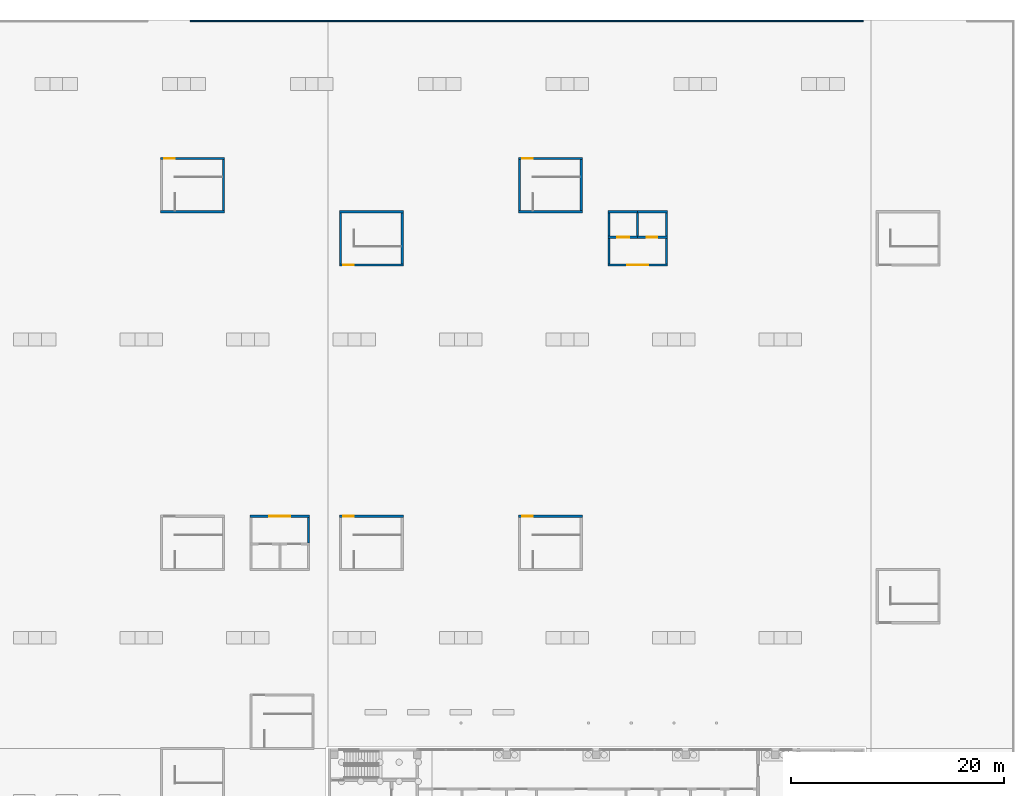
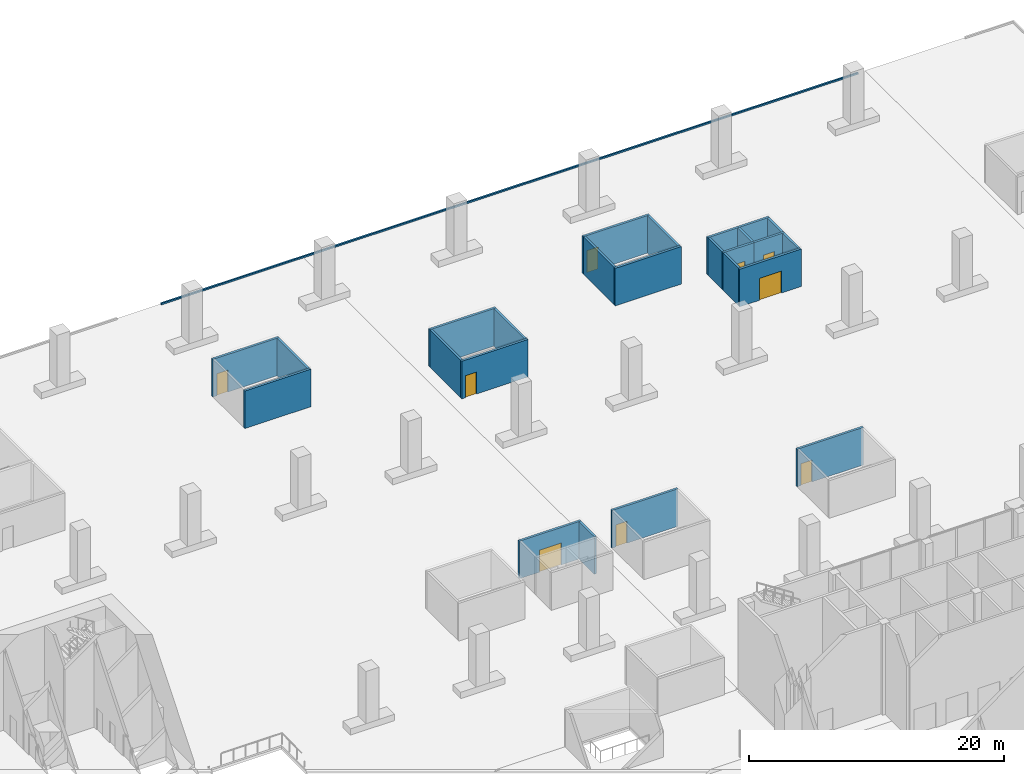
# One storey, part 29 of 46: 26 walls, 9 doors, 9 openings.
"""IFC4 building model written with IfcOpenShell, lengths in metres."""

from ifc_helpers import new_model, si_unit, direction, frame, frame_2d, origin, place, context, subcontext, project, spatial, rectangle, extrude, material, layer, layer_set, type_object, element, fill, save


model = new_model("IFC4")

# Units and contexts
model_context = context("Model", 3, precision=1e-05, world=origin(), true_north=direction((0.0, 1.0)))
body_context = subcontext(model_context, "Body", "Model", "MODEL_VIEW")
ifc_project = project(units=[si_unit("LENGTHUNIT", "METRE"), si_unit("AREAUNIT", "SQUARE_METRE"), si_unit("VOLUMEUNIT", "CUBIC_METRE"), si_unit("PLANEANGLEUNIT", "RADIAN"), si_unit("MASSUNIT", "GRAM", prefix="KILO")], contexts=[model_context])

# Site, building, storey
site_placement = place(None, origin())
site = spatial("IfcSite", under=ifc_project, at=site_placement, CompositionType="ELEMENT")
building_placement = place(site_placement, origin())
building = spatial("IfcBuilding", under=site, at=building_placement, Name="Vermilion Gate Residences", CompositionType="ELEMENT")
storey_placement = place(building_placement, origin())
storey = spatial("IfcBuildingStorey", under=building, at=storey_placement, Name="L00", CompositionType="ELEMENT", Elevation=0.0)

# Walls
ifc_material_1 = material(Name="Concrete C35", Category="concrete")
ifc_layer_1 = layer(ifc_material_1, 0.14990234375)
ifc_layer_set_1 = layer_set([ifc_layer_1], Name="KERB 150 X 150 C35 (MARKET HALL)")
wall_type_1 = type_object("IfcWallType", Name="KERB 150 X 150 C35 (MARKET HALL)", PredefinedType="SOLIDWALL", material=ifc_layer_set_1)
wall_1_placement = place(storey_placement, frame((54.60009765625, 101.905029296875, 0.0), z_axis=(0.0, 0.0, 1.0), x_axis=(1.0, 0.0, 0.0)))
element("IfcWall", 1, at=wall_1_placement, inside=storey, type_object=wall_type_1, Name="Kerb north edge 4", PredefinedType="SOLIDWALL", context=body_context, shape_type="SweptSolid", body=[
    extrude(rectangle(XDim=63.199951171875, YDim=0.14990234375, at=frame_2d((31.60009765625, 0.0))), origin(), (0.0, 0.0, 1.0), 0.14990234375),
])
ifc_material_2 = material(Name="Concrete C40", Category="concrete")
ifc_layer_2 = layer(ifc_material_2, 0.199951171875)
ifc_layer_set_2 = layer_set([ifc_layer_2], Name="RC STAIR AND SHAFT WALL 200 EI 180 C40 (AMENITY)")
wall_type_2 = type_object("IfcWallType", Name="RC STAIR AND SHAFT WALL 200 EI 180 C40 (AMENITY)", PredefinedType="SOLIDWALL", material=ifc_layer_set_2)
wall_2_placement = place(storey_placement, frame((51.800048828125, 84.0, 0.0), z_axis=(0.0, 0.0, 1.0), x_axis=(1.0, 0.0, 0.0)))
element("IfcWall", 2, at=wall_2_placement, inside=storey, type_object=wall_type_2, Name="Stair and shaft wall 33", PredefinedType="SOLIDWALL", context=body_context, shape_type="SweptSolid", body=[
    extrude(rectangle(XDim=6.0, YDim=0.199951171875, at=frame_2d((3.0, 0.0))), origin(), (0.0, 0.0, 1.0), 3.60009765625),
])

# Wall, opening, door
wall_3_placement = place(storey_placement, frame((51.800048828125, 89.0, 0.0), z_axis=(0.0, 0.0, 1.0), x_axis=(1.0, 0.0, 0.0)))
wall_3 = element("IfcWall", 3, at=wall_3_placement, inside=storey, type_object=wall_type_2, Name="Stair and shaft wall 34", PredefinedType="SOLIDWALL", context=body_context, shape_type="SweptSolid", body=[
    extrude(rectangle(XDim=6.0, YDim=0.199951171875, at=frame_2d((3.0, 0.0))), origin(), (0.0, 0.0, 1.0), 3.60009765625),
])
opening_1_placement = place(wall_3_placement, frame((0.35009765625, 0.0, 0.0)))
opening_1 = element("IfcOpeningElement", 4, at=opening_1_placement, cuts=wall_3, Name="Opening DG00012", PredefinedType="OPENING", context=body_context, shape_type="SweptSolid", body=[
    extrude(rectangle(XDim=1.0, YDim=2.10009765625, at=frame_2d((0.5, 1.050048828125))), frame((0.0, 0.10986328125, 0.0), z_axis=(0.0, -1.0, 0.0), x_axis=(1.0, 0.0, 0.0)), (0.0, 0.0, 1.0), 0.219970703125),
])
ifc_material_3 = material(Name="Steel", Category="steel")
door_type_1 = type_object("IfcDoorType", Name="DOOR 1000 X 2100 FD60 (AMENITY)", OperationType="SINGLE_SWING_LEFT", PredefinedType="DOOR", material=ifc_material_3)
door_1_placement = place(opening_1_placement, origin())
door_1 = element("IfcDoor", 5, at=door_1_placement, inside=storey, type_object=door_type_1, Name="Door L00 12", OperationType="SINGLE_SWING_LEFT", OverallHeight=2.10009765625, OverallWidth=1.0, PredefinedType="DOOR", context=body_context, shape_type="SweptSolid", body=[
    extrude(rectangle(XDim=1.0, YDim=2.10009765625, at=frame_2d((0.5, 1.050048828125))), frame((0.0, 0.02490234375, 0.0), z_axis=(0.0, -1.0, 0.0), x_axis=(1.0, 0.0, 0.0)), (0.0, 0.0, 1.0), 0.050048828125),
])
fill(opening_1, door_1)

# Wall
wall_4_placement = place(storey_placement, frame((57.699951171875, 84.10009765625, 0.0), z_axis=(0.0, 0.0, 1.0), x_axis=(0.0, 1.0, 0.0)))
element("IfcWall", 6, at=wall_4_placement, inside=storey, type_object=wall_type_2, Name="Stair and shaft wall 37", PredefinedType="SOLIDWALL", context=body_context, shape_type="SweptSolid", body=[
    extrude(rectangle(XDim=4.7998046875, YDim=0.199951171875, at=frame_2d((2.39990234375, 0.0))), origin(), (0.0, 0.0, 1.0), 3.60009765625),
])

# Wall, opening, door
wall_5_placement = place(storey_placement, frame((60.199951171875, 55.39990234375, 0.0), z_axis=(0.0, 0.0, 1.0), x_axis=(1.0, 0.0, 0.0)))
wall_5 = element("IfcWall", 7, at=wall_5_placement, inside=storey, type_object=wall_type_2, Name="Stair and shaft wall 45", PredefinedType="SOLIDWALL", context=body_context, shape_type="SweptSolid", body=[
    extrude(rectangle(XDim=5.60009765625, YDim=0.199951171875, at=frame_2d((2.800048828125, 0.0))), origin(), (0.0, 0.0, 1.0), 3.60009765625),
])
opening_2_placement = place(wall_5_placement, frame((1.800048828125, 0.0, 0.0)))
opening_2 = element("IfcOpeningElement", 8, at=opening_2_placement, cuts=wall_5, Name="Opening DG00017", PredefinedType="OPENING", context=body_context, shape_type="SweptSolid", body=[
    extrude(rectangle(XDim=2.0, YDim=2.10009765625, at=frame_2d((1.0, 1.050048828125))), frame((0.0, 0.10986328125, 0.0), z_axis=(0.0, -1.0, 0.0), x_axis=(1.0, 0.0, 0.0)), (0.0, 0.0, 1.0), 0.219970703125),
])
ifc_material_4 = material(Name="Steel", Category="steel")
door_type_2 = type_object("IfcDoorType", Name="DOUBLE DOOR 2000 X 2100 FD60 (AMENITY)", OperationType="DOUBLE_DOOR_SINGLE_SWING", PredefinedType="DOOR", material=ifc_material_4)
door_2_placement = place(opening_2_placement, origin())
door_2 = element("IfcDoor", 9, at=door_2_placement, inside=storey, type_object=door_type_2, Name="Door L00 17", OperationType="DOUBLE_DOOR_SINGLE_SWING", OverallHeight=2.10009765625, OverallWidth=2.0, PredefinedType="DOOR", context=body_context, shape_type="SweptSolid", body=[
    extrude(rectangle(XDim=2.0, YDim=2.10009765625, at=frame_2d((1.0, 1.050048828125))), frame((0.0, 0.02490234375, 0.0), z_axis=(0.0, -1.0, 0.0), x_axis=(1.0, 0.0, 0.0)), (0.0, 0.0, 1.0), 0.050048828125),
])
fill(opening_2, door_2)

# Wall
wall_6_placement = place(storey_placement, frame((65.699951171875, 52.89990234375, 0.0), z_axis=(0.0, 0.0, 1.0), x_axis=(0.0, 1.0, 0.0)))
element("IfcWall", 10, at=wall_6_placement, inside=storey, type_object=wall_type_2, Name="Stair and shaft wall 50", PredefinedType="SOLIDWALL", context=body_context, shape_type="SweptSolid", body=[
    extrude(rectangle(XDim=2.400146484375, YDim=0.199951171875, at=frame_2d((1.2001953125, 0.0))), origin(), (0.0, 0.0, 1.0), 3.60009765625),
])

# Wall, opening, door
wall_7_placement = place(storey_placement, frame((68.60009765625, 55.39990234375, 0.0), z_axis=(0.0, 0.0, 1.0), x_axis=(1.0, 0.0, 0.0)))
wall_7 = element("IfcWall", 11, at=wall_7_placement, inside=storey, type_object=wall_type_2, Name="Stair and shaft wall 54", PredefinedType="SOLIDWALL", context=body_context, shape_type="SweptSolid", body=[
    extrude(rectangle(XDim=6.0, YDim=0.199951171875, at=frame_2d((3.0, 0.0))), origin(), (0.0, 0.0, 1.0), 3.60009765625),
])
opening_3_placement = place(wall_7_placement, frame((0.35009765625, 0.0, 0.0)))
opening_3 = element("IfcOpeningElement", 12, at=opening_3_placement, cuts=wall_7, Name="Opening DG00003", PredefinedType="OPENING", context=body_context, shape_type="SweptSolid", body=[
    extrude(rectangle(XDim=1.0, YDim=2.10009765625, at=frame_2d((0.5, 1.050048828125))), frame((0.0, 0.10986328125, 0.0), z_axis=(0.0, -1.0, 0.0), x_axis=(1.0, 0.0, 0.0)), (0.0, 0.0, 1.0), 0.219970703125),
])
door_3_placement = place(opening_3_placement, origin())
door_3 = element("IfcDoor", 13, at=door_3_placement, inside=storey, type_object=door_type_1, Name="Door L00 3", OperationType="SINGLE_SWING_LEFT", OverallHeight=2.10009765625, OverallWidth=1.0, PredefinedType="DOOR", context=body_context, shape_type="SweptSolid", body=[
    extrude(rectangle(XDim=1.0, YDim=2.10009765625, at=frame_2d((0.5, 1.050048828125))), frame((0.0, 0.02490234375, 0.0), z_axis=(0.0, -1.0, 0.0), x_axis=(1.0, 0.0, 0.0)), (0.0, 0.0, 1.0), 0.050048828125),
])
fill(opening_3, door_3)

# Wall
wall_8_placement = place(storey_placement, frame((68.699951171875, 79.10009765625, 0.0), z_axis=(0.0, 0.0, 1.0), x_axis=(0.0, 1.0, 0.0)))
element("IfcWall", 14, at=wall_8_placement, inside=storey, type_object=wall_type_2, Name="Stair and shaft wall 55", PredefinedType="SOLIDWALL", context=body_context, shape_type="SweptSolid", body=[
    extrude(rectangle(XDim=4.7998046875, YDim=0.199951171875, at=frame_2d((2.39990234375, 0.0))), origin(), (0.0, 0.0, 1.0), 3.60009765625),
])

# Wall, opening, door
wall_9_placement = place(storey_placement, frame((68.60009765625, 79.0, 0.0), z_axis=(0.0, 0.0, 1.0), x_axis=(1.0, 0.0, 0.0)))
wall_9 = element("IfcWall", 15, at=wall_9_placement, inside=storey, type_object=wall_type_2, Name="Stair and shaft wall 56", PredefinedType="SOLIDWALL", context=body_context, shape_type="SweptSolid", body=[
    extrude(rectangle(XDim=6.0, YDim=0.199951171875, at=frame_2d((3.0, 0.0))), origin(), (0.0, 0.0, 1.0), 3.60009765625),
])
opening_4_placement = place(wall_9_placement, frame((0.35009765625, 0.0, 0.0)))
opening_4 = element("IfcOpeningElement", 16, at=opening_4_placement, cuts=wall_9, Name="Opening DG00011", PredefinedType="OPENING", context=body_context, shape_type="SweptSolid", body=[
    extrude(rectangle(XDim=1.0, YDim=2.10009765625, at=frame_2d((0.5, 1.050048828125))), frame((0.0, 0.10986328125, 0.0), z_axis=(0.0, -1.0, 0.0), x_axis=(1.0, 0.0, 0.0)), (0.0, 0.0, 1.0), 0.219970703125),
])
door_4_placement = place(opening_4_placement, frame((1.0, 0.0, 0.0), z_axis=(0.0, 0.0, 1.0), x_axis=(-1.0, 0.0, 0.0)))
door_4 = element("IfcDoor", 17, at=door_4_placement, inside=storey, type_object=door_type_1, Name="Door L00 11", OperationType="SINGLE_SWING_RIGHT", OverallHeight=2.10009765625, OverallWidth=1.0, PredefinedType="DOOR", context=body_context, shape_type="SweptSolid", body=[
    extrude(rectangle(XDim=1.0, YDim=2.10009765625, at=frame_2d((0.5, 1.050048828125))), frame((0.0, 0.02490234375, 0.0), z_axis=(0.0, -1.0, 0.0), x_axis=(1.0, 0.0, 0.0)), (0.0, 0.0, 1.0), 0.050048828125),
])
fill(opening_4, door_4)

# Walls
wall_10_placement = place(storey_placement, frame((68.60009765625, 84.0, 0.0), z_axis=(0.0, 0.0, 1.0), x_axis=(1.0, 0.0, 0.0)))
element("IfcWall", 18, at=wall_10_placement, inside=storey, type_object=wall_type_2, Name="Stair and shaft wall 57", PredefinedType="SOLIDWALL", context=body_context, shape_type="SweptSolid", body=[
    extrude(rectangle(XDim=6.0, YDim=0.199951171875, at=frame_2d((3.0, 0.0))), origin(), (0.0, 0.0, 1.0), 3.60009765625),
])
wall_11_placement = place(storey_placement, frame((74.5, 79.10009765625, 0.0), z_axis=(0.0, 0.0, 1.0), x_axis=(0.0, 1.0, 0.0)))
element("IfcWall", 19, at=wall_11_placement, inside=storey, type_object=wall_type_2, Name="Stair and shaft wall 59", PredefinedType="SOLIDWALL", context=body_context, shape_type="SweptSolid", body=[
    extrude(rectangle(XDim=4.7998046875, YDim=0.199951171875, at=frame_2d((2.39990234375, 0.0))), origin(), (0.0, 0.0, 1.0), 3.60009765625),
])

# Wall, opening, door
wall_12_placement = place(storey_placement, frame((85.39990234375, 55.39990234375, 0.0), z_axis=(0.0, 0.0, 1.0), x_axis=(1.0, 0.0, 0.0)))
wall_12 = element("IfcWall", 20, at=wall_12_placement, inside=storey, type_object=wall_type_2, Name="Stair and shaft wall 62", PredefinedType="SOLIDWALL", context=body_context, shape_type="SweptSolid", body=[
    extrude(rectangle(XDim=6.0, YDim=0.199951171875, at=frame_2d((3.0, 0.0))), origin(), (0.0, 0.0, 1.0), 3.60009765625),
])
opening_5_placement = place(wall_12_placement, frame((0.35009765625, 0.0, 0.0)))
opening_5 = element("IfcOpeningElement", 21, at=opening_5_placement, cuts=wall_12, Name="Opening DG00006", PredefinedType="OPENING", context=body_context, shape_type="SweptSolid", body=[
    extrude(rectangle(XDim=1.0, YDim=2.10009765625, at=frame_2d((0.5, 1.050048828125))), frame((0.0, 0.10986328125, 0.0), z_axis=(0.0, -1.0, 0.0), x_axis=(1.0, 0.0, 0.0)), (0.0, 0.0, 1.0), 0.219970703125),
])
door_5_placement = place(opening_5_placement, origin())
door_5 = element("IfcDoor", 22, at=door_5_placement, inside=storey, type_object=door_type_1, Name="Door L00 6", OperationType="SINGLE_SWING_LEFT", OverallHeight=2.10009765625, OverallWidth=1.0, PredefinedType="DOOR", context=body_context, shape_type="SweptSolid", body=[
    extrude(rectangle(XDim=1.0, YDim=2.10009765625, at=frame_2d((0.5, 1.050048828125))), frame((0.0, 0.02490234375, 0.0), z_axis=(0.0, -1.0, 0.0), x_axis=(1.0, 0.0, 0.0)), (0.0, 0.0, 1.0), 0.050048828125),
])
fill(opening_5, door_5)

# Walls
wall_13_placement = place(storey_placement, frame((85.5, 84.10009765625, 0.0), z_axis=(0.0, 0.0, 1.0), x_axis=(0.0, 1.0, 0.0)))
element("IfcWall", 23, at=wall_13_placement, inside=storey, type_object=wall_type_2, Name="Stair and shaft wall 63", PredefinedType="SOLIDWALL", context=body_context, shape_type="SweptSolid", body=[
    extrude(rectangle(XDim=4.7998046875, YDim=0.199951171875, at=frame_2d((2.39990234375, 0.0))), origin(), (0.0, 0.0, 1.0), 3.60009765625),
])
wall_14_placement = place(storey_placement, frame((85.39990234375, 84.0, 0.0), z_axis=(0.0, 0.0, 1.0), x_axis=(1.0, 0.0, 0.0)))
element("IfcWall", 24, at=wall_14_placement, inside=storey, type_object=wall_type_2, Name="Stair and shaft wall 64", PredefinedType="SOLIDWALL", context=body_context, shape_type="SweptSolid", body=[
    extrude(rectangle(XDim=6.0, YDim=0.199951171875, at=frame_2d((3.0, 0.0))), origin(), (0.0, 0.0, 1.0), 3.60009765625),
])

# Wall, opening, door
wall_15_placement = place(storey_placement, frame((85.39990234375, 89.0, 0.0), z_axis=(0.0, 0.0, 1.0), x_axis=(1.0, 0.0, 0.0)))
wall_15 = element("IfcWall", 25, at=wall_15_placement, inside=storey, type_object=wall_type_2, Name="Stair and shaft wall 65", PredefinedType="SOLIDWALL", context=body_context, shape_type="SweptSolid", body=[
    extrude(rectangle(XDim=6.0, YDim=0.199951171875, at=frame_2d((3.0, 0.0))), origin(), (0.0, 0.0, 1.0), 3.60009765625),
])
opening_6_placement = place(wall_15_placement, frame((0.35009765625, 0.0, 0.0)))
opening_6 = element("IfcOpeningElement", 26, at=opening_6_placement, cuts=wall_15, Name="Opening DG00014", PredefinedType="OPENING", context=body_context, shape_type="SweptSolid", body=[
    extrude(rectangle(XDim=1.0, YDim=2.10009765625, at=frame_2d((0.5, 1.050048828125))), frame((0.0, 0.10986328125, 0.0), z_axis=(0.0, -1.0, 0.0), x_axis=(1.0, 0.0, 0.0)), (0.0, 0.0, 1.0), 0.219970703125),
])
door_6_placement = place(opening_6_placement, origin())
door_6 = element("IfcDoor", 27, at=door_6_placement, inside=storey, type_object=door_type_1, Name="Door L00 14", OperationType="SINGLE_SWING_LEFT", OverallHeight=2.10009765625, OverallWidth=1.0, PredefinedType="DOOR", context=body_context, shape_type="SweptSolid", body=[
    extrude(rectangle(XDim=1.0, YDim=2.10009765625, at=frame_2d((0.5, 1.050048828125))), frame((0.0, 0.02490234375, 0.0), z_axis=(0.0, -1.0, 0.0), x_axis=(1.0, 0.0, 0.0)), (0.0, 0.0, 1.0), 0.050048828125),
])
fill(opening_6, door_6)

# Walls
wall_16_placement = place(storey_placement, frame((91.300048828125, 84.10009765625, 0.0), z_axis=(0.0, 0.0, 1.0), x_axis=(0.0, 1.0, 0.0)))
element("IfcWall", 28, at=wall_16_placement, inside=storey, type_object=wall_type_2, Name="Stair and shaft wall 67", PredefinedType="SOLIDWALL", context=body_context, shape_type="SweptSolid", body=[
    extrude(rectangle(XDim=4.7998046875, YDim=0.199951171875, at=frame_2d((2.39990234375, 0.0))), origin(), (0.0, 0.0, 1.0), 3.60009765625),
])
wall_17_placement = place(storey_placement, frame((93.89990234375, 79.10009765625, 0.0), z_axis=(0.0, 0.0, 1.0), x_axis=(0.0, 1.0, 0.0)))
element("IfcWall", 29, at=wall_17_placement, inside=storey, type_object=wall_type_2, Name="Stair and shaft wall 68", PredefinedType="SOLIDWALL", context=body_context, shape_type="SweptSolid", body=[
    extrude(rectangle(XDim=2.39990234375, YDim=0.199951171875, at=frame_2d((1.199951171875, 0.0))), origin(), (0.0, 0.0, 1.0), 3.60009765625),
])

# Wall, opening, door
wall_18_placement = place(storey_placement, frame((93.800048828125, 79.0, 0.0), z_axis=(0.0, 0.0, 1.0), x_axis=(1.0, 0.0, 0.0)))
wall_18 = element("IfcWall", 30, at=wall_18_placement, inside=storey, type_object=wall_type_2, Name="Stair and shaft wall 69", PredefinedType="SOLIDWALL", context=body_context, shape_type="SweptSolid", body=[
    extrude(rectangle(XDim=5.599853515625, YDim=0.199951171875, at=frame_2d((2.7998046875, 0.0))), origin(), (0.0, 0.0, 1.0), 3.60009765625),
])
opening_7_placement = place(wall_18_placement, frame((1.800048828125, 0.0, 0.0)))
opening_7 = element("IfcOpeningElement", 31, at=opening_7_placement, cuts=wall_18, Name="Opening DG00020", PredefinedType="OPENING", context=body_context, shape_type="SweptSolid", body=[
    extrude(rectangle(XDim=2.0, YDim=2.10009765625, at=frame_2d((1.0, 1.050048828125))), frame((0.0, 0.10986328125, 0.0), z_axis=(0.0, -1.0, 0.0), x_axis=(1.0, 0.0, 0.0)), (0.0, 0.0, 1.0), 0.219970703125),
])
door_7_placement = place(opening_7_placement, frame((2.0, 0.0, 0.0), z_axis=(0.0, 0.0, 1.0), x_axis=(-1.0, 0.0, 0.0)))
door_7 = element("IfcDoor", 32, at=door_7_placement, inside=storey, type_object=door_type_2, Name="Door L00 20", OperationType="DOUBLE_DOOR_SINGLE_SWING", OverallHeight=2.10009765625, OverallWidth=2.0, PredefinedType="DOOR", context=body_context, shape_type="SweptSolid", body=[
    extrude(rectangle(XDim=2.0, YDim=2.10009765625, at=frame_2d((1.0, 1.050048828125))), frame((0.0, 0.02490234375, 0.0), z_axis=(0.0, -1.0, 0.0), x_axis=(1.0, 0.0, 0.0)), (0.0, 0.0, 1.0), 0.050048828125),
])
fill(opening_7, door_7)

# Wall
wall_19_placement = place(storey_placement, frame((93.89990234375, 81.699951171875, 0.0), z_axis=(0.0, 0.0, 1.0), x_axis=(0.0, 1.0, 0.0)))
element("IfcWall", 33, at=wall_19_placement, inside=storey, type_object=wall_type_2, Name="Stair and shaft wall 70", PredefinedType="SOLIDWALL", context=body_context, shape_type="SweptSolid", body=[
    extrude(rectangle(XDim=2.199951171875, YDim=0.199951171875, at=frame_2d((1.10009765625, 0.0))), origin(), (0.0, 0.0, 1.0), 3.60009765625),
])

# Wall, opening, door
wall_20_placement = place(storey_placement, frame((93.800048828125, 81.60009765625, 0.0), z_axis=(0.0, 0.0, 1.0), x_axis=(1.0, 0.0, 0.0)))
wall_20 = element("IfcWall", 34, at=wall_20_placement, inside=storey, type_object=wall_type_2, Name="Stair and shaft wall 71", PredefinedType="SOLIDWALL", context=body_context, shape_type="SweptSolid", body=[
    extrude(rectangle(XDim=2.800048828125, YDim=0.199951171875, at=frame_2d((1.39990234375, 0.0))), origin(), (0.0, 0.0, 1.0), 3.60009765625),
])
opening_8_placement = place(wall_20_placement, frame((0.89990234375, 0.0, 0.0)))
opening_8 = element("IfcOpeningElement", 35, at=opening_8_placement, cuts=wall_20, Name="Opening LD", PredefinedType="OPENING", context=body_context, shape_type="SweptSolid", body=[
    extrude(rectangle(XDim=1.10009765625, YDim=2.10009765625, at=frame_2d((0.550048828125, 1.050048828125))), frame((0.0, 0.10986328125, 0.0), z_axis=(0.0, -1.0, 0.0), x_axis=(1.0, 0.0, 0.0)), (0.0, 0.0, 1.0), 0.219970703125),
])
ifc_material_5 = material(Name="Stainless steel", Category="steel")
door_type_3 = type_object("IfcDoorType", Name="LIFT LANDING DOOR 1100 X 2100 (AMENITY)", OperationType="SLIDING_TO_LEFT", PredefinedType="DOOR", material=ifc_material_5)
door_8_placement = place(opening_8_placement, origin())
door_8 = element("IfcDoor", 36, at=door_8_placement, inside=storey, type_object=door_type_3, Name="Lift landing door", OperationType="SLIDING_TO_LEFT", OverallHeight=2.10009765625, OverallWidth=1.10009765625, PredefinedType="DOOR", context=body_context, shape_type="SweptSolid", body=[
    extrude(rectangle(XDim=1.10009765625, YDim=2.10009765625, at=frame_2d((0.550048828125, 1.050048828125))), frame((0.0, 0.02490234375, 0.0), z_axis=(0.0, -1.0, 0.0), x_axis=(1.0, 0.0, 0.0)), (0.0, 0.0, 1.0), 0.050048828125),
])
fill(opening_8, door_8)

# Walls
wall_21_placement = place(storey_placement, frame((93.800048828125, 84.0, 0.0), z_axis=(0.0, 0.0, 1.0), x_axis=(1.0, 0.0, 0.0)))
element("IfcWall", 37, at=wall_21_placement, inside=storey, type_object=wall_type_2, Name="Stair and shaft wall 72", PredefinedType="SOLIDWALL", context=body_context, shape_type="SweptSolid", body=[
    extrude(rectangle(XDim=2.800048828125, YDim=0.199951171875, at=frame_2d((1.39990234375, 0.0))), origin(), (0.0, 0.0, 1.0), 3.60009765625),
])
wall_22_placement = place(storey_placement, frame((96.60009765625, 81.699951171875, 0.0), z_axis=(0.0, 0.0, 1.0), x_axis=(0.0, 1.0, 0.0)))
element("IfcWall", 38, at=wall_22_placement, inside=storey, type_object=wall_type_2, Name="Stair and shaft wall 73", PredefinedType="SOLIDWALL", context=body_context, shape_type="SweptSolid", body=[
    extrude(rectangle(XDim=2.199951171875, YDim=0.199951171875, at=frame_2d((1.10009765625, 0.0))), origin(), (0.0, 0.0, 1.0), 3.60009765625),
])

# Wall, opening, door
wall_23_placement = place(storey_placement, frame((96.60009765625, 81.60009765625, 0.0), z_axis=(0.0, 0.0, 1.0), x_axis=(1.0, 0.0, 0.0)))
wall_23 = element("IfcWall", 39, at=wall_23_placement, inside=storey, type_object=wall_type_2, Name="Stair and shaft wall 74", PredefinedType="SOLIDWALL", context=body_context, shape_type="SweptSolid", body=[
    extrude(rectangle(XDim=2.7998046875, YDim=0.199951171875, at=frame_2d((1.39990234375, 0.0))), origin(), (0.0, 0.0, 1.0), 3.60009765625),
])
opening_9_placement = place(wall_23_placement, frame((0.85009765625, 0.0, 0.0)))
opening_9 = element("IfcOpeningElement", 40, at=opening_9_placement, cuts=wall_23, Name="Opening DG00022", PredefinedType="OPENING", context=body_context, shape_type="SweptSolid", body=[
    extrude(rectangle(XDim=1.0, YDim=2.10009765625, at=frame_2d((0.5, 1.050048828125))), frame((0.0, 0.10986328125, 0.0), z_axis=(0.0, -1.0, 0.0), x_axis=(1.0, 0.0, 0.0)), (0.0, 0.0, 1.0), 0.219970703125),
])
door_9_placement = place(opening_9_placement, origin())
door_9 = element("IfcDoor", 41, at=door_9_placement, inside=storey, type_object=door_type_1, Name="Door L00 22", OperationType="SINGLE_SWING_LEFT", OverallHeight=2.10009765625, OverallWidth=1.0, PredefinedType="DOOR", context=body_context, shape_type="SweptSolid", body=[
    extrude(rectangle(XDim=1.0, YDim=2.10009765625, at=frame_2d((0.5, 1.050048828125))), frame((0.0, 0.02490234375, 0.0), z_axis=(0.0, -1.0, 0.0), x_axis=(1.0, 0.0, 0.0)), (0.0, 0.0, 1.0), 0.050048828125),
])
fill(opening_9, door_9)

# Walls
wall_24_placement = place(storey_placement, frame((96.60009765625, 84.0, 0.0), z_axis=(0.0, 0.0, 1.0), x_axis=(1.0, 0.0, 0.0)))
element("IfcWall", 42, at=wall_24_placement, inside=storey, type_object=wall_type_2, Name="Stair and shaft wall 75", PredefinedType="SOLIDWALL", context=body_context, shape_type="SweptSolid", body=[
    extrude(rectangle(XDim=2.7998046875, YDim=0.199951171875, at=frame_2d((1.39990234375, 0.0))), origin(), (0.0, 0.0, 1.0), 3.60009765625),
])
wall_25_placement = place(storey_placement, frame((99.300048828125, 79.10009765625, 0.0), z_axis=(0.0, 0.0, 1.0), x_axis=(0.0, 1.0, 0.0)))
element("IfcWall", 43, at=wall_25_placement, inside=storey, type_object=wall_type_2, Name="Stair and shaft wall 76", PredefinedType="SOLIDWALL", context=body_context, shape_type="SweptSolid", body=[
    extrude(rectangle(XDim=2.39990234375, YDim=0.199951171875, at=frame_2d((1.199951171875, 0.0))), origin(), (0.0, 0.0, 1.0), 3.60009765625),
])
wall_26_placement = place(storey_placement, frame((99.300048828125, 81.699951171875, 0.0), z_axis=(0.0, 0.0, 1.0), x_axis=(0.0, 1.0, 0.0)))
element("IfcWall", 44, at=wall_26_placement, inside=storey, type_object=wall_type_2, Name="Stair and shaft wall 77", PredefinedType="SOLIDWALL", context=body_context, shape_type="SweptSolid", body=[
    extrude(rectangle(XDim=2.199951171875, YDim=0.199951171875, at=frame_2d((1.10009765625, 0.0))), origin(), (0.0, 0.0, 1.0), 3.60009765625),
])

save(model, "model.ifc")
